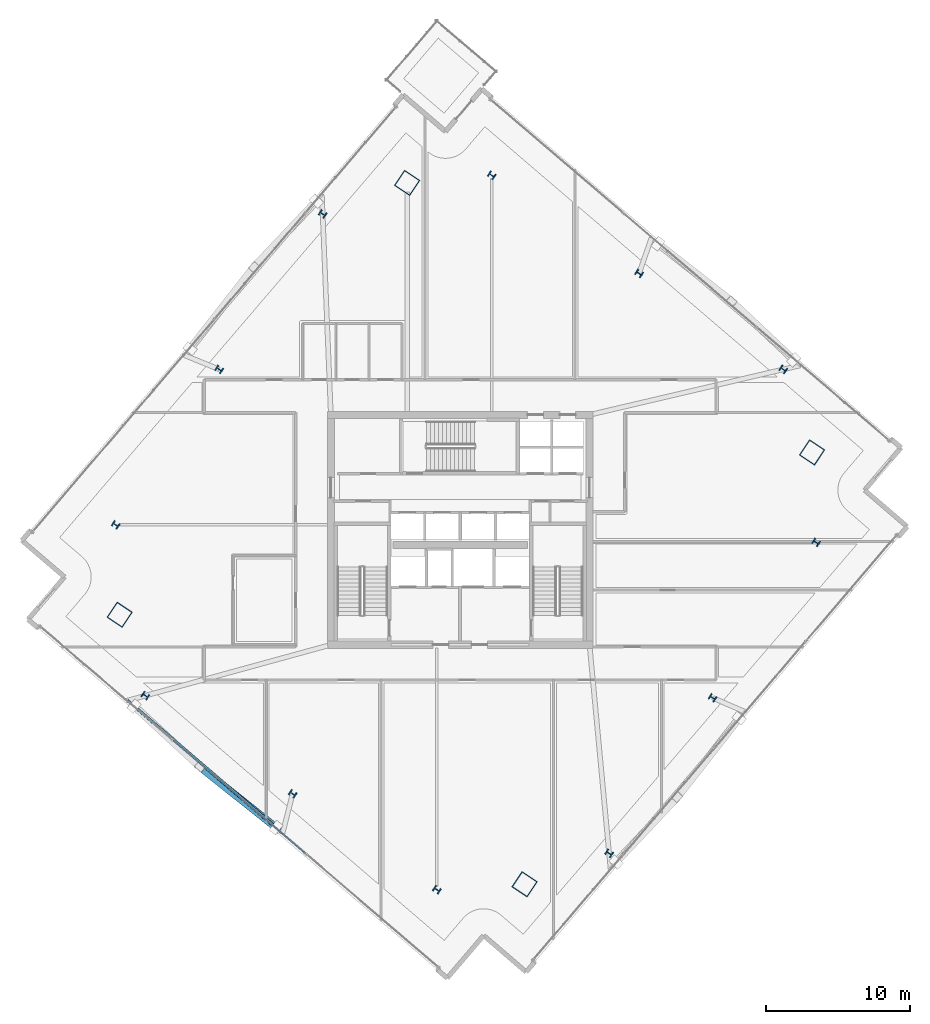
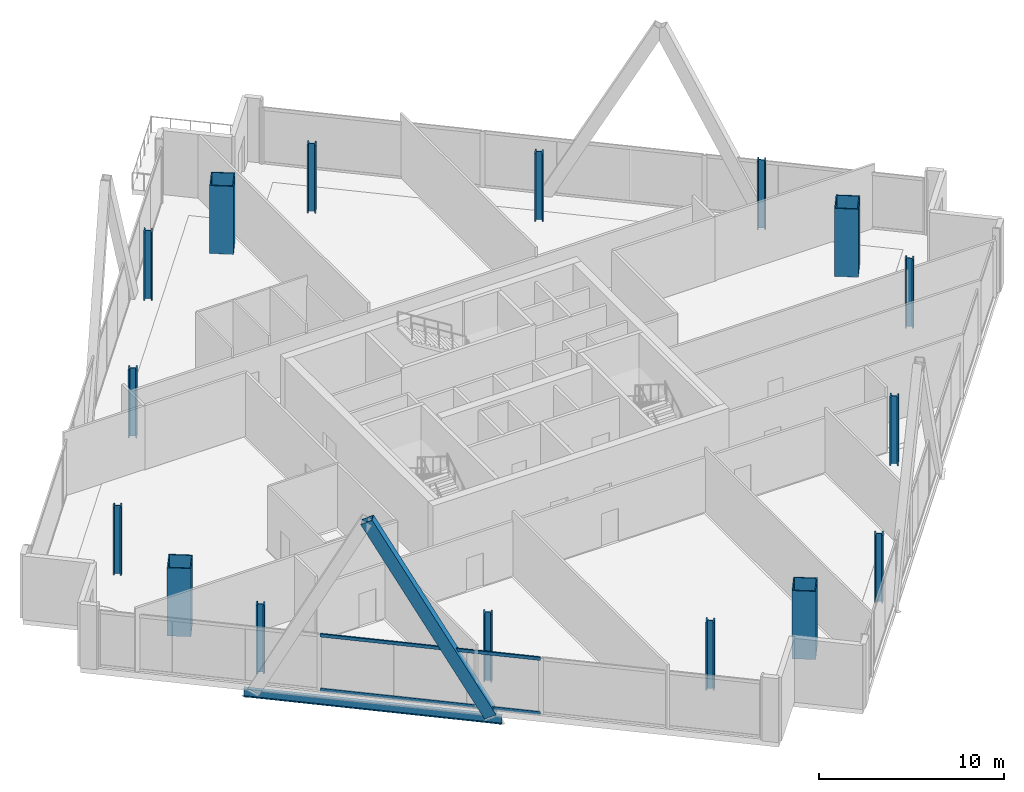
# One storey, part 1 of 26: 16 columns, 3 members, 1 beam, 1 element without a shape of its own.
"""IFC4 building model written with IfcOpenShell, lengths in metres."""

from ifc_helpers import new_model, si_unit, direction, frame, origin, origin_2d, place, context, subcontext, project, spatial, hollow_rectangle, i_section, extrude, material, material_profile, profile_set, type_object, element, aggregate, save


model = new_model("IFC4")

# Units and contexts
model_context = context("Model", 3, precision=1e-05, world=origin(), true_north=direction((0.0, 1.0)))
body_context = subcontext(model_context, "Body", "Model", "MODEL_VIEW")
ifc_project = project(units=[si_unit("LENGTHUNIT", "METRE"), si_unit("AREAUNIT", "SQUARE_METRE"), si_unit("VOLUMEUNIT", "CUBIC_METRE"), si_unit("PLANEANGLEUNIT", "RADIAN"), si_unit("MASSUNIT", "GRAM", prefix="KILO")], contexts=[model_context])

# Site, building, storey
site_placement = place(None, origin())
site = spatial("IfcSite", under=ifc_project, at=site_placement, CompositionType="ELEMENT")
building_placement = place(site_placement, origin())
building = spatial("IfcBuilding", under=site, at=building_placement, Name="Haldenkirk Collegiate Tower", CompositionType="ELEMENT")
storey_placement = place(building_placement, frame((0.0, 0.0, 193.949951171875)))
storey = spatial("IfcBuildingStorey", under=building, at=storey_placement, Name="L48", CompositionType="ELEMENT", Elevation=193.949951171875)

# Columns
ifc_material_1 = material(Name="Steel ASTM A913 Grade 65", Category="steel")
ifc_material_profile_1 = material_profile(ifc_material_1, i_section(OverallWidth=0.424072265625, OverallDepth=0.47412109375, WebThickness=0.047607421875, FlangeThickness=0.0771484375, at=origin_2d()), Name="W14X426")
ifc_profile_set_1 = profile_set([ifc_material_profile_1], Name="Steel ASTM A913 Grade 65")
column_type_1 = type_object("IfcColumnType", Name="COL-INT-W14X426", PredefinedType="COLUMN", material=ifc_profile_set_1)
for number, where, z_axis, x_axis, name in (
    (1, (46.363037109375, 3.48974609375, 0.0), (0.0, 0.0, 1.0), (0.554118199338, 0.832437998389, 0.0), "L48 perimeter gravity column PC-S1"),
    (2, (53.564453125, 14.30810546875, 0.0), (0.0, 0.0, 1.0), (0.554118199338, 0.832437998389, 0.0), "L48 perimeter gravity column PC-S2"),
    (3, (60.765869140625, 25.12646484375, 0.0), (0.0, 0.0, 1.0), (0.554118199338, 0.832437998389, 0.0), "L48 perimeter gravity column PC-S3"),
    (4, (58.48095703125, 37.16357421875, 0.0), (0.0, 0.0, 1.0), (0.554118199338, 0.832437998389, 0.0), "L48 perimeter gravity column PC-E1"),
    (5, (48.447509765625, 43.84228515625, 0.0), (0.0, 0.0, 1.0), (0.554118199338, 0.832437998389, 0.0), "L48 perimeter gravity column PC-E2"),
    (6, (38.192626953125, 50.66845703125, 0.0), (0.0, 0.0, 1.0), (0.554118199338, 0.832437998389, 0.0), "L48 perimeter gravity column PC-E3"),
    (7, (26.427734375, 47.98388671875, 0.0), (0.0, 0.0, 1.0), (0.554118199338, 0.832437998389, 0.0), "L48 perimeter gravity column PC-N1"),
    (8, (19.226318359375, 37.16552734375, 0.0), (0.0, 0.0, 1.0), (0.554118199338, 0.832437998389, 0.0), "L48 perimeter gravity column PC-N2"),
    (9, (12.025146484375, 26.34716796875, 0.0), (0.0, 0.0, 1.0), (0.554118199338, 0.832437998389, 0.0), "L48 perimeter gravity column PC-N3"),
    (10, (14.08837890625, 14.45751953125, 0.0), (0.0, 0.0, 1.0), (0.554118199338, 0.832437998389, 0.0), "L48 perimeter gravity column PC-W1"),
    (11, (24.34326171875, 7.63134765625, 0.0), (0.0, 0.0, 1.0), (0.554118199338, 0.832437998389, 0.0), "L48 perimeter gravity column PC-W2"),
    (12, (34.376708984375, 0.952392578125, 0.0), (0.0, 0.0, 1.0), (0.554118199338, 0.832437998389, 0.0), "L48 perimeter gravity column PC-W3"),
):
    element("IfcColumn", number, at=place(storey_placement, frame(where, z_axis=z_axis, x_axis=x_axis)), inside=storey, type_object=column_type_1, Name=name, PredefinedType="COLUMN", context=body_context, shape_type="SweptSolid", body=[
        extrude(i_section(OverallWidth=0.424072265625, OverallDepth=0.47412109375, WebThickness=0.047607421875, FlangeThickness=0.0771484375, at=origin_2d()), origin(), (0.0, 0.0, 1.0), 4.5),
    ])
ifc_material_2 = material(Name="Steel ASTM A572 Grade 50", Category="steel")
ifc_material_profile_2 = material_profile(ifc_material_2, hollow_rectangle(XDim=1.300048828125, YDim=1.300048828125, WallThickness=0.06005859375, at=origin_2d()), Name="BOX1300X1300X60")
ifc_profile_set_2 = profile_set([ifc_material_profile_2], Name="Steel ASTM A572 Grade 50")
column_type_2 = type_object("IfcColumnType", Name="COL-MEGA-BOX1300X1300X60", PredefinedType="COLUMN", material=ifc_profile_set_2)
for number, where, z_axis, x_axis, name in (
    (13, (40.482666015625, 1.332763671875, 0.0), (0.0, 0.0, 1.0), (0.554118199338, 0.832437998389, 0.0), "L48 corner mega-column MC1"),
    (14, (60.486328125, 31.3837890625, 0.0), (0.0, 0.0, 1.0), (0.554118199338, 0.832437998389, 0.0), "L48 corner mega-column MC2"),
    (15, (32.30810546875, 50.140869140625, 0.0), (0.0, 0.0, 1.0), (0.554118199338, 0.832437998389, 0.0), "L48 corner mega-column MC3"),
    (16, (12.3046875, 20.089599609375, 0.0), (0.0, 0.0, 1.0), (0.554118199338, 0.832437998389, 0.0), "L48 corner mega-column MC4"),
):
    element("IfcColumn", number, at=place(storey_placement, frame(where, z_axis=z_axis, x_axis=x_axis)), inside=storey, type_object=column_type_2, Name=name, PredefinedType="COLUMN", context=body_context, shape_type="SweptSolid", body=[
        extrude(hollow_rectangle(XDim=1.300048828125, YDim=1.300048828125, WallThickness=0.06005859375, at=origin_2d()), origin(), (0.0, 0.0, 1.0), 4.5),
    ])

# Beam
ifc_material_3 = material(Name="Steel ASTM A992 Grade 50", Category="steel")
ifc_material_profile_3 = material_profile(ifc_material_3, i_section(OverallWidth=0.2099609375, OverallDepth=0.537109375, WebThickness=0.010986328125, FlangeThickness=0.017333984375, at=origin_2d()), Name="W21X68")
ifc_profile_set_3 = profile_set([ifc_material_profile_3], Name="Steel ASTM A992 Grade 50")
beam_type = type_object("IfcBeamType", Name="BM-SPANDREL-W21X68", PredefinedType="SPANDREL", material=ifc_profile_set_3)
beam_placement = place(storey_placement, frame((12.8486328125, 14.1171875, -0.678466796875), z_axis=(0.759832714519, -0.650118639901, 0.0), x_axis=(0.650118639901, 0.759832714519, 0.0)))
element("IfcBeam", 17, at=beam_placement, inside=storey, type_object=beam_type, Name="L48 outer facade edge beam 4", PredefinedType="SPANDREL", context=body_context, shape_type="SweptSolid", body=[
    extrude(i_section(OverallWidth=0.2099609375, OverallDepth=0.537109375, WebThickness=0.010986328125, FlangeThickness=0.017333984375, at=origin_2d()), origin(), (0.0, 0.0, 1.0), 14.201416015625),
])

# Curtain wall, members
ifc_material_4 = material(Name="Anodised architectural bronze aluminium", Category="aluminium")
curtain_wall_type = type_object("IfcCurtainWallType", Name="CW-SYS4-SKYGARDEN", PredefinedType="USERDEFINED", material=ifc_material_4)
curtain_wall_placement = place(storey_placement, origin())
curtain_wall = element("IfcCurtainWall", 18, at=curtain_wall_placement, inside=storey, type_object=curtain_wall_type, Name="L48 Sky-garden tall bronze curtain wall", ObjectType="UNITISED CURTAIN WALL", PredefinedType="USERDEFINED")
ifc_material_profile_4 = material_profile(ifc_material_4, hollow_rectangle(XDim=0.090087890625, YDim=0.2099609375, WallThickness=0.0048828125, at=origin_2d()), Name="CW-TRN-04")
ifc_profile_set_4 = profile_set([ifc_material_profile_4], Name="Anodised architectural bronze aluminium")
member_type_1 = type_object("IfcMemberType", Name="CW-TRN-04", PredefinedType="USERDEFINED", material=ifc_profile_set_4)
member_1_placement = place(storey_placement, frame((25.22412109375, 3.476318359375, 0.045166015625), z_axis=(-0.759841181209, 0.650108744241, 0.0), x_axis=(-0.650108744241, -0.759841181209, 0.0)))
member_1 = element("IfcMember", 19, at=member_1_placement, type_object=member_type_1, Name="CW-04 transom 2.1", ObjectType="TRANSOM", PredefinedType="USERDEFINED", context=body_context, shape_type="SweptSolid", body=[
    extrude(hollow_rectangle(XDim=0.090087890625, YDim=0.2099609375, WallThickness=0.0048828125, at=origin_2d()), origin(), (0.0, 0.0, 1.0), 12.10986328125),
])
member_2_placement = place(storey_placement, frame((25.22412109375, 3.476318359375, 3.633056640625), z_axis=(-0.759841181209, 0.650108744241, 0.0), x_axis=(-0.650108744241, -0.759841181209, 0.0)))
member_2 = element("IfcMember", 20, at=member_2_placement, type_object=member_type_1, Name="CW-04 transom 2.2", ObjectType="TRANSOM", PredefinedType="USERDEFINED", context=body_context, shape_type="SweptSolid", body=[
    extrude(hollow_rectangle(XDim=0.090087890625, YDim=0.2099609375, WallThickness=0.0048828125, at=origin_2d()), origin(), (0.0, 0.0, 1.0), 12.10986328125),
])
aggregate(curtain_wall, [member_1, member_2])

# Member
ifc_material_profile_5 = material_profile(ifc_material_2, hollow_rectangle(XDim=0.52001953125, YDim=0.719970703125, WallThickness=0.035888671875, at=origin_2d()), Name="BOX720X520X36")
ifc_profile_set_5 = profile_set([ifc_material_profile_5], Name="Steel ASTM A572 Grade 50")
member_type_2 = type_object("IfcMemberType", Name="MBR-MEGABRACE-BOX720X520X36", PredefinedType="BRACE", material=ifc_profile_set_5)
member_3_placement = place(storey_placement, frame((23.18359375, 5.274658203125, -0.419921875), z_axis=(-0.381237223237, 0.30465950534, 0.872834901585), x_axis=(-0.62428229703, -0.781198831038, 0.0)))
element("IfcMember", 21, at=member_3_placement, inside=storey, type_object=member_type_2, Name="Perimeter Mega Brace Z4 L48-L50 WR", PredefinedType="BRACE", context=body_context, shape_type="SweptSolid", body=[
    extrude(hollow_rectangle(XDim=0.52001953125, YDim=0.719970703125, WallThickness=0.035888671875, at=origin_2d()), origin(), (0.0, 0.0, 1.0), 13.897216796875),
])

save(model, "model.ifc")
